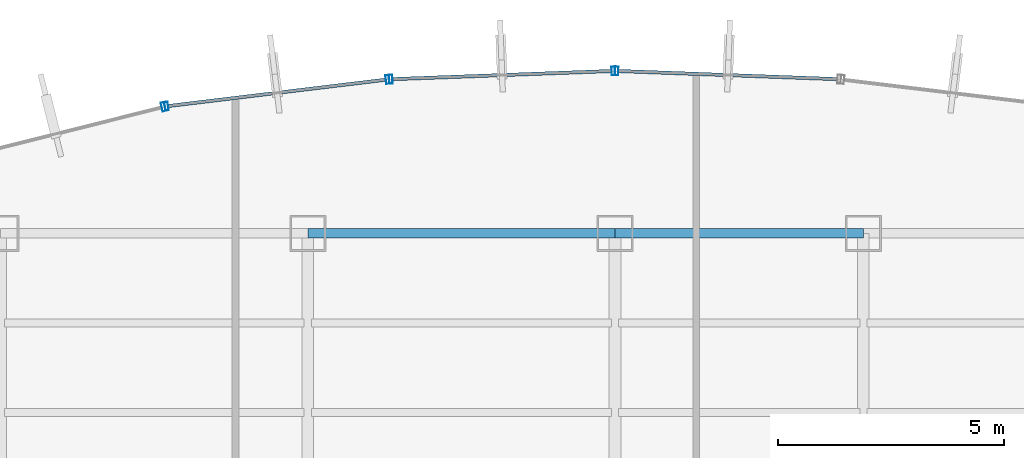
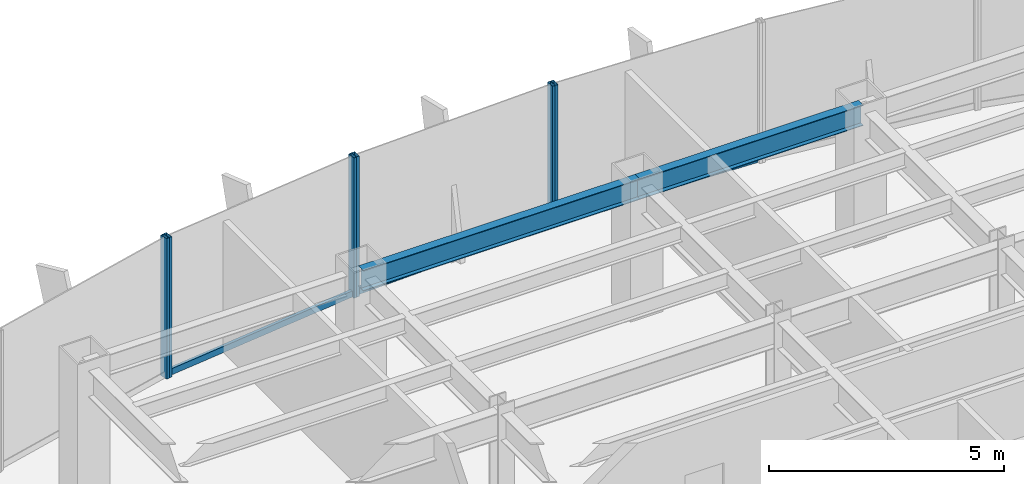
# One storey, part 16 of 26: 9 members, 2 beams, 4 elements without a shape of their own.
"""IFC4 building model written with IfcOpenShell, lengths in metres."""

import ifcopenshell
import ifcopenshell.guid

model = None  # the IFC model being written
_history = None  # IfcOwnerHistory: only IFC2X3 demands one
_inside = {}  # id of a spatial element -> (the spatial element, [elements in it])
_under = {}  # id of a project, library or spatial element -> (it, [spatial elements below it])
_declared = {}  # id of a project -> (the project, [libraries it declares])
_typed = {}  # id of a type object -> (the type object, [elements of that type])
_made_of = {}  # id of a material, layer set ... -> (it, [elements and type objects made of it])


def new_model(schema):
    """Start an empty IFC model of exactly this schema.

    Asked for "IFC4X3", IfcOpenShell would pick the latest addendum, in which some entities
    have other attributes; the version numbers below select the first issue.
    IFC2X3 requires an IfcOwnerHistory on every rooted entity: one is made here for all.
    """
    global model, _history
    if schema == "IFC4X3":
        model = ifcopenshell.file(schema_version=(4, 3, 0, 0))
    else:
        model = ifcopenshell.file(schema=schema)
    _inside.clear()
    _under.clear()
    _declared.clear()
    _typed.clear()
    _made_of.clear()
    _history = None
    if model.schema == "IFC2X3":
        org = make("IfcOrganization", Name="unknown")
        user = make(
            "IfcPersonAndOrganization",
            ThePerson=make("IfcPerson", FamilyName="unknown"),
            TheOrganization=org,
        )
        app = make(
            "IfcApplication",
            ApplicationDeveloper=org,
            Version="unknown",
            ApplicationFullName="unknown",
            ApplicationIdentifier="unknown",
        )
        _history = make(
            "IfcOwnerHistory",
            OwningUser=user,
            OwningApplication=app,
            ChangeAction="ADDED",
            CreationDate=0,
        )
    return model


def make(cls, **values):
    """One entity of the class cls with the attributes given. An attribute that is None is left unset."""
    return model.create_entity(
        cls, **{name: value for name, value in values.items() if value is not None}
    )


def rooted(cls, **values):
    """An entity with a GlobalId (a new one), such as an element, a storey or a relation."""
    return make(cls, GlobalId=ifcopenshell.guid.new(), OwnerHistory=_history, **values)


def si_unit(unit_type, name, prefix=None):
    """IfcSIUnit, for example si_unit("LENGTHUNIT", "METRE", prefix="MILLI")."""
    return make("IfcSIUnit", UnitType=unit_type, Prefix=prefix, Name=name)


def derived_unit(unit_type, elements):
    """IfcDerivedUnit: a product of units, each with its exponent."""
    return make(
        "IfcDerivedUnit",
        Elements=[
            make("IfcDerivedUnitElement", Unit=unit, Exponent=power)
            for unit, power in elements
        ],
        UnitType=unit_type,
    )


def assignment(units):
    """IfcUnitAssignment: the units of a project."""
    return None if units is None else make("IfcUnitAssignment", Units=units)


def point(xyz):
    """IfcCartesianPoint."""
    return None if xyz is None else make("IfcCartesianPoint", Coordinates=xyz)


def direction(xyz):
    """IfcDirection."""
    return None if xyz is None else make("IfcDirection", DirectionRatios=xyz)


def frame(location, z_axis=None, x_axis=None):
    """IfcAxis2Placement3D, a coordinate frame: its origin and axes. An axis left out is left unset."""
    return make(
        "IfcAxis2Placement3D",
        Location=point(location),
        Axis=direction(z_axis),
        RefDirection=direction(x_axis),
    )


def frame_2d(location, x_axis=None):
    """IfcAxis2Placement2D, a coordinate frame in the plane: its origin and x axis."""
    return make(
        "IfcAxis2Placement2D", Location=point(location), RefDirection=direction(x_axis)
    )


def origin():
    """The frame at (0, 0, 0) with its axes left unset."""
    return frame((0.0, 0.0, 0.0))


def origin_2d():
    """The frame at (0, 0) in the plane with its x axis left unset."""
    return frame_2d((0.0, 0.0))


def place(relative_to, where):
    """IfcLocalPlacement: puts the frame where relative to a parent placement (None: the world)."""
    return make(
        "IfcLocalPlacement", PlacementRelTo=relative_to, RelativePlacement=where
    )


def context(
    kind, dimensions, precision=None, world=None, true_north=None, identifier=None
):
    """IfcGeometricRepresentationContext, for example the 3D "Model" context."""
    return make(
        "IfcGeometricRepresentationContext",
        ContextIdentifier=identifier,
        ContextType=kind,
        CoordinateSpaceDimension=dimensions,
        Precision=precision,
        WorldCoordinateSystem=world,
        TrueNorth=true_north,
    )


def subcontext(parent, identifier, kind, view, scale=None):
    """IfcGeometricRepresentationSubContext, for example "Body" below "Model"."""
    return make(
        "IfcGeometricRepresentationSubContext",
        ContextIdentifier=identifier,
        ContextType=kind,
        ParentContext=parent,
        TargetScale=scale,
        TargetView=view,
    )


def project(units=None, contexts=None):
    """IfcProject with its units and contexts."""
    return rooted(
        "IfcProject",
        Name="project",
        RepresentationContexts=contexts,
        UnitsInContext=assignment(units),
    )


def spatial(cls, under=None, at=None, **own):
    """A site, building, storey or space (cls), placed at a placement, below another one or the project."""
    s = rooted(cls, ObjectPlacement=at, **own)
    if under is not None:
        _under.setdefault(under.id(), (under, []))[1].append(s)
    return s


def profile(cls, at=None, kind="AREA", **sizes):
    """A parametric profile (cls). Its sizes go by their IFC names, for example OverallWidth=200.0."""
    return make(cls, ProfileType=kind, Position=at, **sizes)


def hollow_rectangle(**sizes):
    """IfcRectangleHollowProfileDef."""
    return profile("IfcRectangleHollowProfileDef", **sizes)


def i_section(**sizes):
    """IfcIShapeProfileDef."""
    return profile("IfcIShapeProfileDef", **sizes)


def extrude(swept, where, along, depth):
    """IfcExtrudedAreaSolid: the profile swept, set in the frame where, extruded along a direction by depth."""
    return make(
        "IfcExtrudedAreaSolid",
        SweptArea=swept,
        Position=where,
        ExtrudedDirection=direction(along),
        Depth=depth,
    )


def shape(context_of_items, identifier, shape_type, items):
    """IfcShapeRepresentation: the items that make up one representation, for example the "Body"."""
    return make(
        "IfcShapeRepresentation",
        ContextOfItems=context_of_items,
        RepresentationIdentifier=identifier,
        RepresentationType=shape_type,
        Items=items,
    )


def source(mapping_origin, context_of_items, identifier, shape_type, items):
    """IfcRepresentationMap: a shape defined once, which mapped items show again and again."""
    return make(
        "IfcRepresentationMap",
        MappingOrigin=mapping_origin,
        MappedRepresentation=shape(context_of_items, identifier, shape_type, items),
    )


def transform(
    local_origin,
    x_axis=None,
    y_axis=None,
    z_axis=None,
    scale=None,
    scale2=None,
    scale3=None,
    uniform=True,
):
    """IfcCartesianTransformationOperator3D, or its non-uniform kind. x_axis, y_axis, z_axis: its Axis1, 2, 3."""
    if uniform:
        return make(
            "IfcCartesianTransformationOperator3D",
            Axis1=direction(x_axis),
            Axis2=direction(y_axis),
            LocalOrigin=point(local_origin),
            Scale=scale,
            Axis3=direction(z_axis),
        )
    return make(
        "IfcCartesianTransformationOperator3DnonUniform",
        Axis1=direction(x_axis),
        Axis2=direction(y_axis),
        LocalOrigin=point(local_origin),
        Scale=scale,
        Axis3=direction(z_axis),
        Scale2=scale2,
        Scale3=scale3,
    )


def mapped(mapping_source, mapping_target):
    """IfcMappedItem: shows the shape of a source again, moved by a transform."""
    return make(
        "IfcMappedItem", MappingSource=mapping_source, MappingTarget=mapping_target
    )


def material(Name=None, Category=None):
    """IfcMaterial."""
    return make("IfcMaterial", Name=Name, Category=Category)


def material_profile(
    of_material, cross_section, Name=None, Category=None, Priority=None
):
    """IfcMaterialProfile: a cross section and its material."""
    return make(
        "IfcMaterialProfile",
        Name=Name,
        Material=of_material,
        Profile=cross_section,
        Priority=Priority,
        Category=Category,
    )


def profile_set(profiles, Name=None, composite=None):
    """IfcMaterialProfileSet."""
    return make(
        "IfcMaterialProfileSet",
        Name=Name,
        MaterialProfiles=profiles,
        CompositeProfile=composite,
    )


def made_of(thing, what):
    """Note that an element or type object is made of a material, layer set ...; save() writes the relation."""
    if what is not None:
        _made_of.setdefault(what.id(), (what, []))[1].append(thing)
    return thing


def type_object(cls, material=None, **own):
    """A type object (cls), such as IfcWallType, which elements share."""
    return made_of(rooted(cls, **own), material)


def element(
    cls,
    number,
    at=None,
    inside=None,
    cuts=None,
    type_object=None,
    material=None,
    context=None,
    identifier="Body",
    shape_type=None,
    held_by="IfcProductDefinitionShape",
    body=None,
    shapes=None,
    **own,
):
    """One element of the class cls, such as IfcWall. Its Tag is "e" and its number.

    at: its placement. inside: the storey or other place that contains it. cuts: it is an
    opening in that element (IfcRelVoidsElement). A single representation is given by context,
    identifier, shape_type and body (its items); several are given by shapes. held_by: the class
    of the entity that holds the representations. save() writes the other relations.
    """
    e = rooted(cls, Tag="e%d" % number, ObjectPlacement=at, **own)
    if body is not None:
        shapes = [shape(context, identifier, shape_type, body)]
    if shapes is not None:
        e.Representation = make(held_by, Representations=shapes)
    if inside is not None:
        _inside.setdefault(inside.id(), (inside, []))[1].append(e)
    if cuts is not None:
        rooted(
            "IfcRelVoidsElement", RelatingBuildingElement=cuts, RelatedOpeningElement=e
        )
    if type_object is not None:
        _typed.setdefault(type_object.id(), (type_object, []))[1].append(e)
    return made_of(e, material)


def aggregate(whole, parts):
    """IfcRelAggregates: a whole, such as a stair, and the parts it consists of."""
    return rooted("IfcRelAggregates", RelatingObject=whole, RelatedObjects=parts)


def save(model, path):
    """Write the relations noted so far, then the file.

    IfcRelAggregates (storeys below a building ...), IfcRelContainedInSpatialStructure (elements
    in a storey), IfcRelDefinesByType, IfcRelAssociatesMaterial and IfcRelDeclares: one each for
    every whole, place, type object, material and project.
    """
    for whole, parts in _under.values():
        aggregate(whole, parts)
    for where, things in _inside.values():
        rooted(
            "IfcRelContainedInSpatialStructure",
            RelatedElements=things,
            RelatingStructure=where,
        )
    for kind, things in _typed.values():
        rooted("IfcRelDefinesByType", RelatedObjects=things, RelatingType=kind)
    for what, things in _made_of.values():
        rooted("IfcRelAssociatesMaterial", RelatedObjects=things, RelatingMaterial=what)
    for by, libraries in _declared.values():
        rooted("IfcRelDeclares", RelatingContext=by, RelatedDefinitions=libraries)
    model.write(path)


model = new_model("IFC4")

# Units and contexts
model_context = context("Model", 3, precision=1e-05, world=origin(), true_north=direction((0.0, 1.0)))
body_context = subcontext(model_context, "Body", "Model", "MODEL_VIEW")
ifc_project = project(units=[si_unit("LENGTHUNIT", "METRE"), si_unit("AREAUNIT", "SQUARE_METRE"), si_unit("VOLUMEUNIT", "CUBIC_METRE"), si_unit("PLANEANGLEUNIT", "RADIAN"), si_unit("MASSUNIT", "GRAM", prefix="KILO"), derived_unit("THERMALTRANSMITTANCEUNIT", [(si_unit("POWERUNIT", "WATT"), 1), (si_unit("LENGTHUNIT", "METRE"), -2), (si_unit("THERMODYNAMICTEMPERATUREUNIT", "KELVIN"), -1)])], contexts=[model_context])

# Site, building, storey
site_placement = place(None, origin())
site = spatial("IfcSite", under=ifc_project, at=site_placement, CompositionType="ELEMENT")
building_placement = place(site_placement, origin())
building = spatial("IfcBuilding", under=site, at=building_placement, Name="Skarnbrae Concourse Arena and Tower", CompositionType="ELEMENT")
storey_placement = place(building_placement, frame((0.0, 0.0, 121.5)))
storey = spatial("IfcBuildingStorey", under=building, at=storey_placement, Name="L30", CompositionType="ELEMENT", Elevation=121.5)

# Beams
ifc_material_1 = material(Name="Steel CSA G40.21 350W", Category="steel")
ifc_material_profile_1 = material_profile(ifc_material_1, i_section(OverallWidth=0.208984375, OverallDepth=0.532958984375, WebThickness=0.01025390625, FlangeThickness=0.015625, at=origin_2d()), Name="W530X92")
ifc_profile_set_1 = profile_set([ifc_material_profile_1], Name="Steel CSA G40.21 350W")
beam_type = type_object("IfcBeamType", Name="BM-SPAN-W530X92", PredefinedType="SPANDREL", material=ifc_profile_set_1)
shared_shape_1 = source(origin(), body_context, "Body", "SweptSolid", [
    extrude(i_section(OverallWidth=0.208984375, OverallDepth=0.532958984375, WebThickness=0.01025390625, FlangeThickness=0.015625, at=origin_2d()), origin(), (0.0, 0.0, 1.0), 6.800048828125),
])
beam_1_placement = place(storey_placement, frame((21.199951171875, 40.39990234375, 3.133544921875), z_axis=(1.0, 0.0, 0.0), x_axis=(0.0, 1.0, 0.0)))
element("IfcBeam", 1, at=beam_1_placement, inside=storey, type_object=beam_type, Name="L30 Perimeter spandrel Y40.4-2", PredefinedType="SPANDREL", context=body_context, shape_type="MappedRepresentation", body=[
    mapped(shared_shape_1, transform((0.0, 0.0, 0.0))),
])
shared_shape_2 = source(origin(), body_context, "Body", "SweptSolid", [
    extrude(i_section(OverallWidth=0.208984375, OverallDepth=0.532958984375, WebThickness=0.01025390625, FlangeThickness=0.015625, at=origin_2d()), origin(), (0.0, 0.0, 1.0), 5.5),
])
beam_2_placement = place(storey_placement, frame((28.0, 40.39990234375, 3.133544921875), z_axis=(1.0, 0.0, 0.0), x_axis=(0.0, 1.0, 0.0)))
element("IfcBeam", 2, at=beam_2_placement, inside=storey, type_object=beam_type, Name="L30 Perimeter spandrel Y40.4-3", PredefinedType="SPANDREL", context=body_context, shape_type="MappedRepresentation", body=[
    mapped(shared_shape_2, transform((0.0, 0.0, 0.0))),
])

# Curtain wall, member
ifc_material_2 = material(Name="Bronze anodised aluminium 6063-T6", Category="aluminium")
curtain_wall_type = type_object("IfcCurtainWallType", Name="CW-SYS-04-MIDZONE", PredefinedType="USERDEFINED", material=ifc_material_2)
curtain_wall_1_placement = place(storey_placement, origin())
curtain_wall_1 = element("IfcCurtainWall", 3, at=curtain_wall_1_placement, inside=storey, type_object=curtain_wall_type, Name="L30 Unitised curtain wall CW-L30-E13", ObjectType="UNITISED CURTAIN WALL", PredefinedType="USERDEFINED")
ifc_material_profile_2 = material_profile(ifc_material_2, hollow_rectangle(XDim=0.074951171875, YDim=0.159912109375, WallThickness=0.00439453125, at=origin_2d()), Name="ALU-TRAN-75X160")
ifc_profile_set_2 = profile_set([ifc_material_profile_2], Name="Bronze anodised aluminium 6063-T6")
member_type_1 = type_object("IfcMemberType", Name="CWT-CW-04", PredefinedType="USERDEFINED", material=ifc_profile_set_2)
shared_shape_3 = source(origin(), body_context, "Body", "SweptSolid", [
    extrude(hollow_rectangle(XDim=0.074951171875, YDim=0.159912109375, WallThickness=0.00439453125, at=origin_2d()), origin(), (0.0, 0.0, 1.0), 4.851318359375),
])
member_1_placement = place(storey_placement, frame((22.926513671875, 43.804931640625, 0.080078125), z_axis=(-0.992746710317, -0.120224661172, 0.0), x_axis=(0.120224661172, -0.992746710317, 0.0)))
member_1 = element("IfcMember", 4, at=member_1_placement, type_object=member_type_1, Name="CW-L30-E13 Transom 1", ObjectType="TRANSOM", PredefinedType="USERDEFINED", context=body_context, shape_type="MappedRepresentation", body=[
    mapped(shared_shape_3, transform((0.0, 0.0, 0.0))),
])

curtain_wall_2_placement = place(storey_placement, origin())
curtain_wall_2 = element("IfcCurtainWall", 5, at=curtain_wall_2_placement, inside=storey, type_object=curtain_wall_type, Name="L30 Unitised curtain wall CW-L30-E11", ObjectType="UNITISED CURTAIN WALL", PredefinedType="USERDEFINED")
shared_shape_4 = source(origin(), body_context, "Body", "SweptSolid", [
    extrude(hollow_rectangle(XDim=0.074951171875, YDim=0.159912109375, WallThickness=0.00439453125, at=origin_2d()), origin(), (0.0, 0.0, 1.0), 4.8525390625),
])
member_2_placement = place(storey_placement, frame((32.924072265625, 43.81689453125, 0.080078125), z_axis=(-0.999308547576, 0.037180999731, 0.0), x_axis=(-0.037180999731, -0.999308547576, 0.0)))
member_2 = element("IfcMember", 6, at=member_2_placement, type_object=member_type_1, Name="CW-L30-E11 Transom 1", ObjectType="TRANSOM", PredefinedType="USERDEFINED", context=body_context, shape_type="MappedRepresentation", body=[
    mapped(shared_shape_4, transform((0.0, 0.0, 0.0))),
])

curtain_wall_3_placement = place(storey_placement, origin())
curtain_wall_3 = element("IfcCurtainWall", 7, at=curtain_wall_3_placement, inside=storey, type_object=curtain_wall_type, Name="L30 Unitised curtain wall CW-L30-E12", ObjectType="UNITISED CURTAIN WALL", PredefinedType="USERDEFINED")
member_3_placement = place(storey_placement, frame((27.925048828125, 43.997314453125, 0.080078125), z_axis=(-0.999308547576, -0.037180999731, 0.0), x_axis=(0.037180999731, -0.999308547576, 0.0)))
member_3 = element("IfcMember", 8, at=member_3_placement, type_object=member_type_1, Name="CW-L30-E12 Transom 1", ObjectType="TRANSOM", PredefinedType="USERDEFINED", context=body_context, shape_type="MappedRepresentation", body=[
    mapped(shared_shape_4, transform((0.0, 0.0, 0.0))),
])

# Member
ifc_material_profile_3 = material_profile(ifc_material_2, hollow_rectangle(XDim=0.074951171875, YDim=0.195068359375, WallThickness=0.00439453125, at=origin_2d()), Name="ALU-MULL-75X195")
ifc_profile_set_3 = profile_set([ifc_material_profile_3], Name="Bronze anodised aluminium 6063-T6")
member_type_2 = type_object("IfcMemberType", Name="CWM-CW-04", PredefinedType="MULLION", material=ifc_profile_set_3)
shared_shape_5 = source(origin(), body_context, "Body", "SweptSolid", [
    extrude(hollow_rectangle(XDim=0.074951171875, YDim=0.195068359375, WallThickness=0.00439453125, at=origin_2d()), origin(), (0.0, 0.0, 1.0), 3.64990234375),
])
member_4_placement = place(storey_placement, frame((28.03759765625, 43.99853515625, 0.0), z_axis=(0.0, 0.0, 1.0), x_axis=(-0.999308486252, 0.037182647889, 0.0)))
member_4 = element("IfcMember", 9, at=member_4_placement, type_object=member_type_2, Name="CW-L30-E11 Mullion 2", PredefinedType="MULLION", context=body_context, shape_type="MappedRepresentation", body=[
    mapped(shared_shape_5, transform((0.0, 0.0, 0.0))),
])

aggregate(curtain_wall_2, [member_4, member_2])

member_5_placement = place(storey_placement, frame((27.96240234375, 43.99853515625, 0.0), z_axis=(0.0, 0.0, 1.0), x_axis=(-0.999308486252, -0.037182647889, 0.0)))
member_5 = element("IfcMember", 10, at=member_5_placement, type_object=member_type_2, Name="CW-L30-E12 Mullion 1", PredefinedType="MULLION", context=body_context, shape_type="MappedRepresentation", body=[
    mapped(shared_shape_5, transform((0.0, 0.0, 0.0))),
])

member_6_placement = place(storey_placement, frame((23.03857421875, 43.8154296875, 0.0), z_axis=(0.0, 0.0, 1.0), x_axis=(-0.999308486252, -0.037182647889, 0.0)))
member_6 = element("IfcMember", 11, at=member_6_placement, type_object=member_type_2, Name="CW-L30-E12 Mullion 2", PredefinedType="MULLION", context=body_context, shape_type="MappedRepresentation", body=[
    mapped(shared_shape_5, transform((0.0, 0.0, 0.0))),
])

aggregate(curtain_wall_3, [member_5, member_6, member_3])

member_7_placement = place(storey_placement, frame((22.9638671875, 43.8095703125, 0.0), z_axis=(0.0, 0.0, 1.0), x_axis=(-0.992749371969, -0.120202680731, 0.0)))
member_7 = element("IfcMember", 12, at=member_7_placement, type_object=member_type_2, Name="CW-L30-E13 Mullion 1", PredefinedType="MULLION", context=body_context, shape_type="MappedRepresentation", body=[
    mapped(shared_shape_5, transform((0.0, 0.0, 0.0))),
])

member_8_placement = place(storey_placement, frame((18.072998046875, 43.21728515625, 0.0), z_axis=(0.0, 0.0, 1.0), x_axis=(-0.992749371969, -0.120202680731, 0.0)))
member_8 = element("IfcMember", 13, at=member_8_placement, type_object=member_type_2, Name="CW-L30-E13 Mullion 2", PredefinedType="MULLION", context=body_context, shape_type="MappedRepresentation", body=[
    mapped(shared_shape_5, transform((0.0, 0.0, 0.0))),
])

aggregate(curtain_wall_1, [member_7, member_8, member_1])

# Curtain wall, member
curtain_wall_4_placement = place(storey_placement, origin())
curtain_wall_4 = element("IfcCurtainWall", 14, at=curtain_wall_4_placement, inside=storey, type_object=curtain_wall_type, Name="L30 Unitised curtain wall CW-L30-E14", ObjectType="UNITISED CURTAIN WALL", PredefinedType="USERDEFINED")
member_9_placement = place(storey_placement, frame((17.99951171875, 43.20361328125, 0.0), z_axis=(0.0, 0.0, 1.0), x_axis=(-0.969903046166, -0.243491439351, 0.0)))
member_9 = element("IfcMember", 15, at=member_9_placement, type_object=member_type_2, Name="CW-L30-E14 Mullion 1", PredefinedType="MULLION", context=body_context, shape_type="MappedRepresentation", body=[
    mapped(shared_shape_5, transform((0.0, 0.0, 0.0))),
])
aggregate(curtain_wall_4, [member_9])

save(model, "model.ifc")
